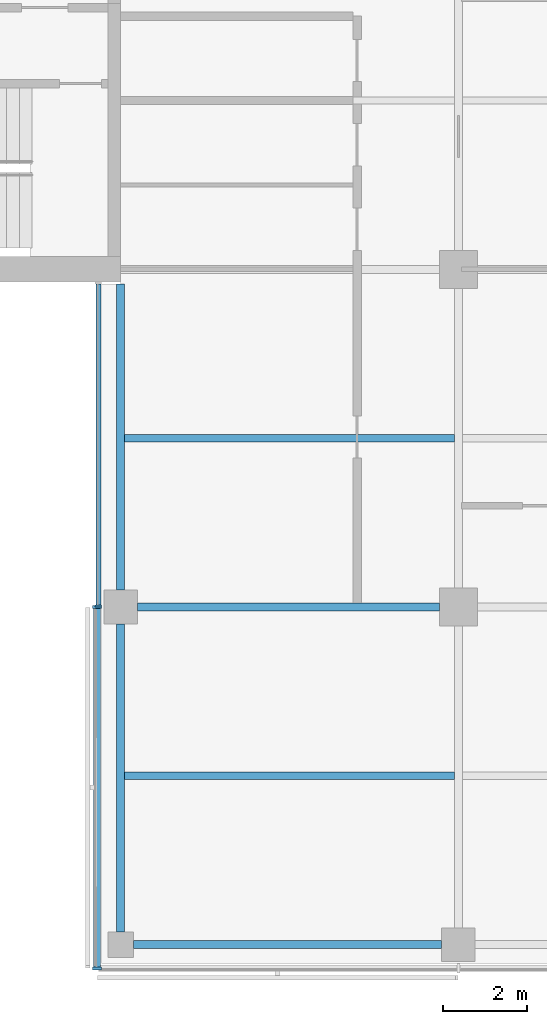
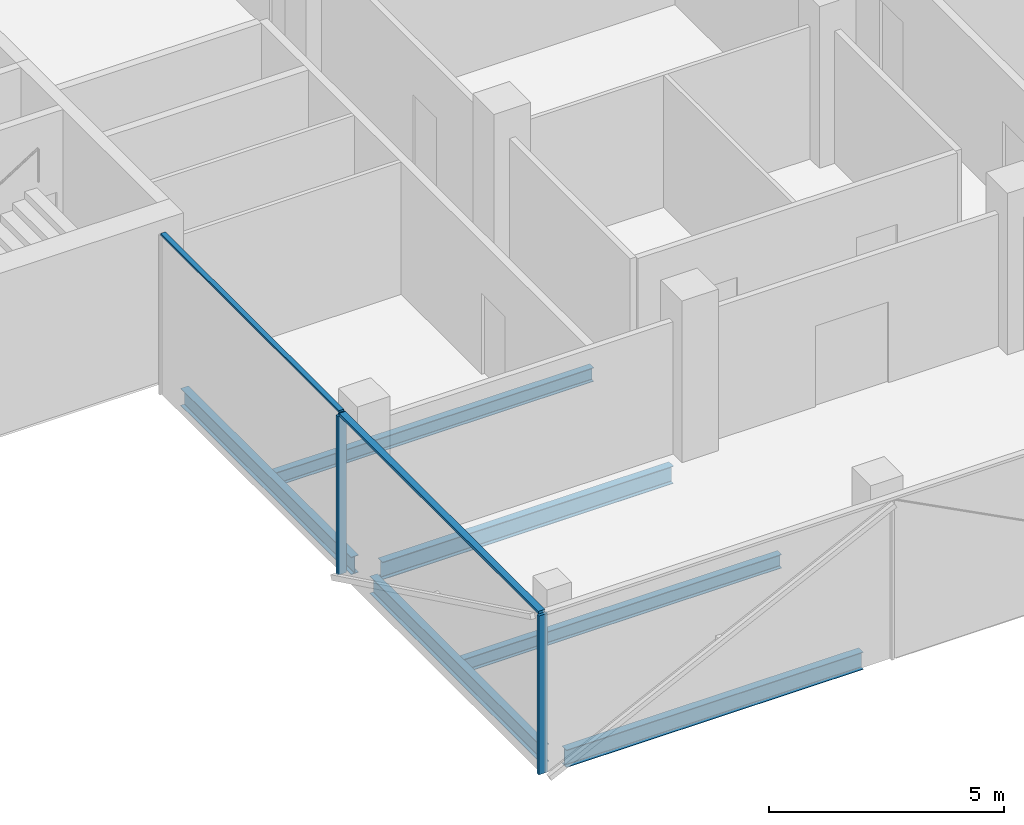
# One storey, part 2 of 18: 6 beams, 5 members, 2 elements without a shape of their own.
"""IFC4 building model written with IfcOpenShell, lengths in metres."""

from ifc_helpers import new_model, si_unit, direction, frame, origin, origin_2d, place, context, subcontext, project, spatial, rectangle, i_section, extrude, material, material_profile, profile_set, type_object, element, aggregate, save


model = new_model("IFC4")

# Units and contexts
model_context = context("Model", 3, precision=1e-05, world=origin(), true_north=direction((0.0, 1.0)))
body_context = subcontext(model_context, "Body", "Model", "MODEL_VIEW")
ifc_project = project(units=[si_unit("LENGTHUNIT", "METRE"), si_unit("AREAUNIT", "SQUARE_METRE"), si_unit("VOLUMEUNIT", "CUBIC_METRE"), si_unit("PLANEANGLEUNIT", "RADIAN"), si_unit("MASSUNIT", "GRAM", prefix="KILO")], contexts=[model_context])

# Site, building, storey
site_placement = place(None, origin())
site = spatial("IfcSite", under=ifc_project, at=site_placement, CompositionType="ELEMENT")
building_placement = place(site_placement, origin())
building = spatial("IfcBuilding", under=site, at=building_placement, Name="Crosswind Convention Tower", CompositionType="ELEMENT")
storey_placement = place(building_placement, frame((0.0, 0.0, 178.89990234375)))
storey = spatial("IfcBuildingStorey", under=building, at=storey_placement, Name="L37", CompositionType="ELEMENT", Elevation=178.89990234375)

# Beams
ifc_material_1 = material(Name="Steel S355", Category="steel")
ifc_material_profile_1 = material_profile(ifc_material_1, i_section(OverallWidth=0.18994140625, OverallDepth=0.45361328125, WebThickness=0.008544921875, FlangeThickness=0.0126953125, FilletRadius=0.01025390625, at=origin_2d()), Name="UB 457x191x67")
ifc_profile_set_1 = profile_set([ifc_material_profile_1], Name="Steel S355")
beam_type_1 = type_object("IfcBeamType", Name="Edge beam UB 457x191x67", PredefinedType="SPANDREL", material=ifc_profile_set_1)
beam_1_placement = place(storey_placement, frame((113.0, 72.300048828125, -0.526611328125), z_axis=(0.0, 1.0, 0.0), x_axis=(-1.0, 0.0, 0.0)))
element("IfcBeam", 1, at=beam_1_placement, inside=storey, type_object=beam_type_1, Name="B16 L37 edge beam 6", PredefinedType="SPANDREL", context=body_context, shape_type="SweptSolid", body=[
    extrude(i_section(OverallWidth=0.18994140625, OverallDepth=0.45361328125, WebThickness=0.008544921875, FlangeThickness=0.0126953125, FilletRadius=0.01025390625, at=origin_2d()), origin(), (0.0, 0.0, 1.0), 7.300048828125),
])
beam_2_placement = place(storey_placement, frame((113.0, 80.39990234375, -0.526611328125), z_axis=(0.0, 1.0, 0.0), x_axis=(-1.0, 0.0, 0.0)))
element("IfcBeam", 2, at=beam_2_placement, inside=storey, type_object=beam_type_1, Name="B16 L37 edge beam 7", PredefinedType="SPANDREL", context=body_context, shape_type="SweptSolid", body=[
    extrude(i_section(OverallWidth=0.18994140625, OverallDepth=0.45361328125, WebThickness=0.008544921875, FlangeThickness=0.0126953125, FilletRadius=0.01025390625, at=origin_2d()), origin(), (0.0, 0.0, 1.0), 7.25),
])
beam_3_placement = place(storey_placement, frame((113.300048828125, 72.0, -0.526611328125), z_axis=(1.0, 0.0, 0.0), x_axis=(0.0, 1.0, 0.0)))
element("IfcBeam", 3, at=beam_3_placement, inside=storey, type_object=beam_type_1, Name="B16 L37 edge beam 10", PredefinedType="SPANDREL", context=body_context, shape_type="SweptSolid", body=[
    extrude(i_section(OverallWidth=0.18994140625, OverallDepth=0.45361328125, WebThickness=0.008544921875, FlangeThickness=0.0126953125, FilletRadius=0.01025390625, at=origin_2d()), origin(), (0.0, 0.0, 1.0), 7.300048828125),
])
ifc_material_profile_2 = material_profile(ifc_material_1, i_section(OverallWidth=0.1904296875, OverallDepth=0.457275390625, WebThickness=0.009033203125, FlangeThickness=0.014404296875, FilletRadius=0.01025390625, at=origin_2d()), Name="UB 457x191x75")
ifc_profile_set_2 = profile_set([ifc_material_profile_2], Name="Steel S355")
beam_type_2 = type_object("IfcBeamType", Name="Girder UB 457x191x75", PredefinedType="BEAM", material=ifc_profile_set_2)
beam_4_placement = place(storey_placement, frame((113.39990234375, 80.0, -0.528564453125), z_axis=(1.0, 0.0, 0.0), x_axis=(0.0, 1.0, 0.0)))
element("IfcBeam", 4, at=beam_4_placement, inside=storey, type_object=beam_type_2, Name="B2 L37 girder 1", PredefinedType="BEAM", context=body_context, shape_type="SweptSolid", body=[
    extrude(i_section(OverallWidth=0.1904296875, OverallDepth=0.457275390625, WebThickness=0.009033203125, FlangeThickness=0.014404296875, FilletRadius=0.01025390625, at=origin_2d()), origin(), (0.0, 0.0, 1.0), 7.150146484375),
])

# Curtain wall, member
ifc_material_2 = material(Name="Aluminium unitised curtain wall", Category="aluminium")
curtain_wall_type_1 = type_object("IfcCurtainWallType", Name="CORE END SLOT WALL 160", PredefinedType="USERDEFINED", material=ifc_material_2)
curtain_wall_1_placement = place(storey_placement, origin())
curtain_wall_1 = element("IfcCurtainWall", 5, at=curtain_wall_1_placement, inside=storey, type_object=curtain_wall_type_1, Name="CW6 L37 S-W.1-1 slot", ObjectType="UNITISED", PredefinedType="USERDEFINED")
ifc_material_3 = material(Name="Aluminium mullion", Category="aluminium")
ifc_material_profile_3 = material_profile(ifc_material_3, rectangle(XDim=0.159912109375, YDim=0.050048828125, at=origin_2d()), Name="AL 160X50")
ifc_profile_set_3 = profile_set([ifc_material_profile_3], Name="Aluminium mullion")
member_type_1 = type_object("IfcMemberType", Name="MULLION 50X160", PredefinedType="MULLION", material=ifc_profile_set_3)
member_1_placement = place(storey_placement, frame((112.469970703125, 80.02490234375, -0.2998046875), z_axis=(0.0, 0.0, 1.0), x_axis=(-1.0, 0.0, 0.0)))
member_1 = element("IfcMember", 6, at=member_1_placement, type_object=member_type_1, Name="CW6 mullion 2", PredefinedType="MULLION", context=body_context, shape_type="SweptSolid", body=[
    extrude(rectangle(XDim=0.159912109375, YDim=0.050048828125, at=origin_2d()), origin(), (0.0, 0.0, 1.0), 4.14990234375),
])

# Curtain wall, members
curtain_wall_type_2 = type_object("IfcCurtainWallType", Name="OFFICE UNITISED WALL 220", PredefinedType="USERDEFINED", material=ifc_material_2)
curtain_wall_2_placement = place(storey_placement, origin())
curtain_wall_2 = element("IfcCurtainWall", 7, at=curtain_wall_2_placement, inside=storey, type_object=curtain_wall_type_2, Name="CW3 L37 S-W 1", ObjectType="UNITISED", PredefinedType="USERDEFINED")
ifc_material_profile_4 = material_profile(ifc_material_3, rectangle(XDim=0.219970703125, YDim=0.070068359375, at=origin_2d()), Name="AL 220X70")
ifc_profile_set_4 = profile_set([ifc_material_profile_4], Name="Aluminium mullion")
member_type_2 = type_object("IfcMemberType", Name="MULLION 70X220", PredefinedType="MULLION", material=ifc_profile_set_4)
member_2_placement = place(storey_placement, frame((112.43994140625, 80.0, -0.2998046875), z_axis=(0.0, 0.0, 1.0), x_axis=(-1.0, 0.0, 0.0)))
member_2 = element("IfcMember", 8, at=member_2_placement, type_object=member_type_2, Name="CW3 mullion 1", PredefinedType="MULLION", context=body_context, shape_type="SweptSolid", body=[
    extrude(rectangle(XDim=0.219970703125, YDim=0.070068359375, at=origin_2d()), origin(), (0.0, 0.0, 1.0), 4.1298828125),
])
member_3_placement = place(storey_placement, frame((112.43994140625, 71.43994140625, -0.2998046875), z_axis=(0.0, 0.0, 1.0), x_axis=(-1.0, 0.0, 0.0)))
member_3 = element("IfcMember", 9, at=member_3_placement, type_object=member_type_2, Name="CW3 mullion 2", PredefinedType="MULLION", context=body_context, shape_type="SweptSolid", body=[
    extrude(rectangle(XDim=0.219970703125, YDim=0.070068359375, at=origin_2d()), origin(), (0.0, 0.0, 1.0), 4.1298828125),
])

# Beams
ifc_material_profile_5 = material_profile(ifc_material_1, i_section(OverallWidth=0.172119140625, OverallDepth=0.358642578125, WebThickness=0.008056640625, FlangeThickness=0.012939453125, FilletRadius=0.01025390625, at=origin_2d()), Name="UB 356x171x57")
ifc_profile_set_5 = profile_set([ifc_material_profile_5], Name="Steel S355")
beam_type_3 = type_object("IfcBeamType", Name="Secondary beam UB 356x171x57", PredefinedType="JOIST", material=ifc_profile_set_5)
for number, where, z_axis, x_axis, name in (
    (10, (113.094970703125, 76.0, -0.479248046875), (1.0, 0.0, 0.0), (0.0, 1.0, 0.0), "B9 L37 secondary beam 7"),
    (11, (113.094970703125, 84.0, -0.479248046875), (1.0, 0.0, 0.0), (0.0, 1.0, 0.0), "B9 L37 secondary beam 8"),
):
    element("IfcBeam", number, at=place(storey_placement, frame(where, z_axis=z_axis, x_axis=x_axis)), inside=storey, type_object=beam_type_3, Name=name, PredefinedType="JOIST", context=body_context, shape_type="SweptSolid", body=[
        extrude(i_section(OverallWidth=0.172119140625, OverallDepth=0.358642578125, WebThickness=0.008056640625, FlangeThickness=0.012939453125, FilletRadius=0.01025390625, at=origin_2d()), origin(), (0.0, 0.0, 1.0), 7.809814453125),
    ])

# Member
ifc_material_4 = material(Name="Aluminium transom", Category="aluminium")
ifc_material_profile_6 = material_profile(ifc_material_4, rectangle(XDim=0.1201171875, YDim=0.050048828125, at=origin_2d()), Name="AL 120X50")
ifc_profile_set_6 = profile_set([ifc_material_profile_6], Name="Aluminium transom")
member_type_3 = type_object("IfcMemberType", Name="TRANSOM 50X120", PredefinedType="USERDEFINED", material=ifc_profile_set_6)
member_4_placement = place(storey_placement, frame((112.469970703125, 87.64990234375, 3.875), z_axis=(0.0, -1.0, 0.0), x_axis=(1.0, 0.0, 0.0)))
member_4 = element("IfcMember", 12, at=member_4_placement, type_object=member_type_3, Name="CW6 transom", ObjectType="TRANSOM", PredefinedType="USERDEFINED", context=body_context, shape_type="SweptSolid", body=[
    extrude(rectangle(XDim=0.1201171875, YDim=0.050048828125, at=origin_2d()), origin(), (0.0, 0.0, 1.0), 7.599853515625),
])

aggregate(curtain_wall_1, [member_1, member_4])

ifc_material_profile_7 = material_profile(ifc_material_4, rectangle(XDim=0.159912109375, YDim=0.070068359375, at=origin_2d()), Name="AL 160X70")
ifc_profile_set_7 = profile_set([ifc_material_profile_7], Name="Aluminium transom")
member_type_4 = type_object("IfcMemberType", Name="TRANSOM 70X160", PredefinedType="USERDEFINED", material=ifc_profile_set_7)
member_5_placement = place(storey_placement, frame((112.43994140625, 79.965087890625, 3.864990234375), z_axis=(0.0, -1.0, 0.0), x_axis=(1.0, 0.0, 0.0)))
member_5 = element("IfcMember", 13, at=member_5_placement, type_object=member_type_4, Name="CW3 transom", ObjectType="TRANSOM", PredefinedType="USERDEFINED", context=body_context, shape_type="SweptSolid", body=[
    extrude(rectangle(XDim=0.159912109375, YDim=0.070068359375, at=origin_2d()), origin(), (0.0, 0.0, 1.0), 8.489990234375),
])

aggregate(curtain_wall_2, [member_2, member_3, member_5])

save(model, "model.ifc")
